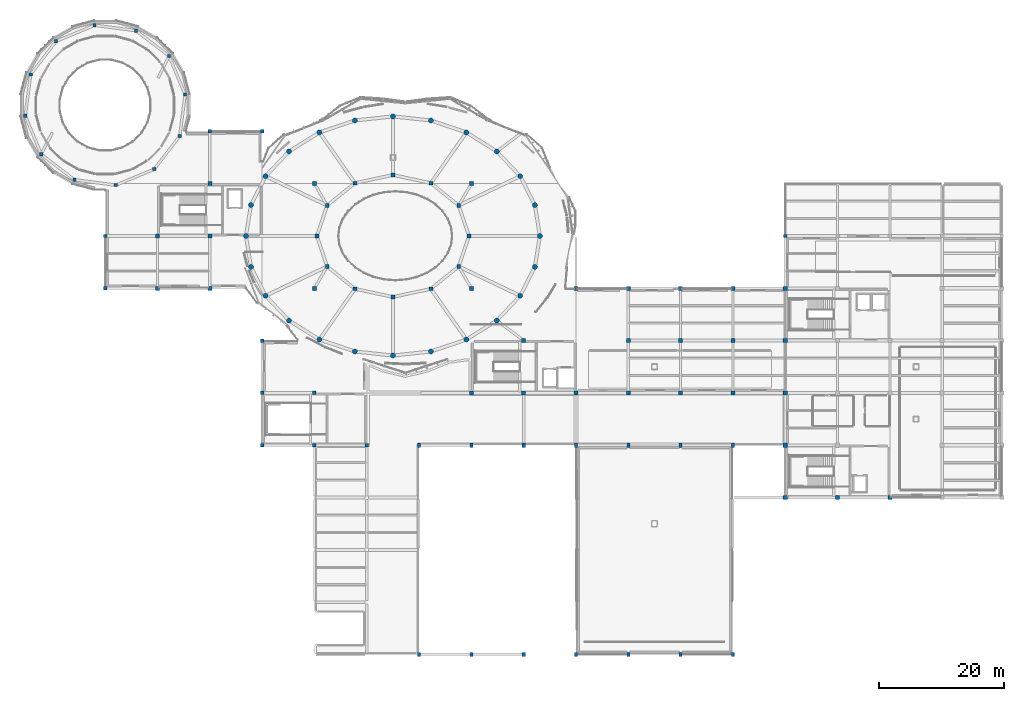
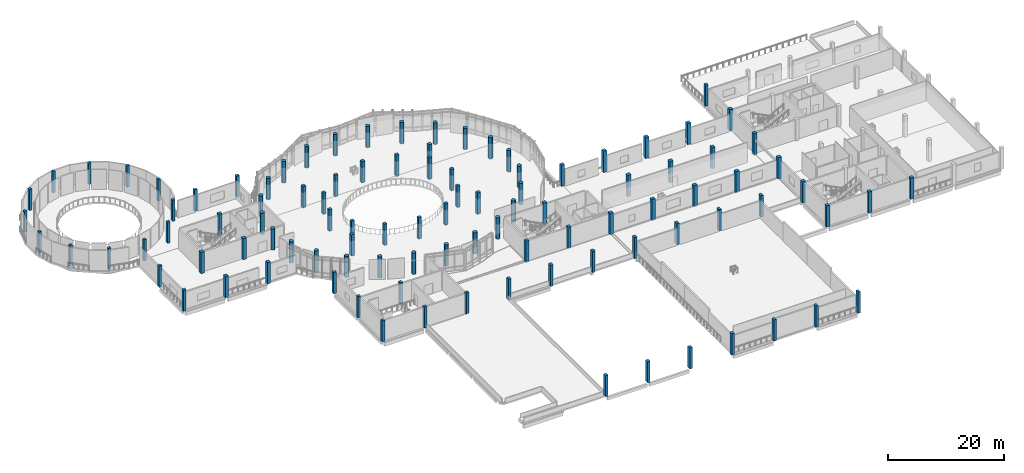
# One storey, part 1 of 46: 103 columns.
"""IFC4 building model written with IfcOpenShell, lengths in metres."""

from ifc_helpers import new_model, si_unit, derived_unit, direction, frame, origin, origin_2d, place, context, subcontext, project, spatial, rectangle, circle, extrude, material, material_profile, profile_set, type_object, element, save


model = new_model("IFC4")

# Units and contexts
model_context = context("Model", 3, precision=1e-05, world=origin(), true_north=direction((0.0, 1.0)))
body_context = subcontext(model_context, "Body", "Model", "MODEL_VIEW")
ifc_project = project(units=[si_unit("LENGTHUNIT", "METRE"), si_unit("AREAUNIT", "SQUARE_METRE"), si_unit("VOLUMEUNIT", "CUBIC_METRE"), si_unit("PLANEANGLEUNIT", "RADIAN"), si_unit("MASSUNIT", "GRAM", prefix="KILO"), derived_unit("THERMALTRANSMITTANCEUNIT", [(si_unit("POWERUNIT", "WATT"), 1), (si_unit("LENGTHUNIT", "METRE"), -2), (si_unit("THERMODYNAMICTEMPERATUREUNIT", "KELVIN"), -1)])], contexts=[model_context])

# Site, building, storey
site_placement = place(None, origin())
site = spatial("IfcSite", under=ifc_project, at=site_placement, CompositionType="ELEMENT")
building_placement = place(site_placement, origin())
building = spatial("IfcBuilding", under=site, at=building_placement, Name="Elbkamm Science Centre", CompositionType="ELEMENT")
storey_placement = place(building_placement, frame((0.0, 0.0, 9.89990234375)))
storey = spatial("IfcBuildingStorey", under=building, at=storey_placement, Name="L02", CompositionType="ELEMENT", Elevation=9.89990234375)

# Columns
ifc_material_1 = material(Name="Concrete C40/50", Category="concrete")
ifc_material_profile_1 = material_profile(ifc_material_1, rectangle(XDim=0.5, YDim=0.5, at=origin_2d()), Name="RC 500x500")
ifc_profile_set_1 = profile_set([ifc_material_profile_1], Name="Concrete C40/50")
column_type_1 = type_object("IfcColumnType", Name="COL-RC-500", PredefinedType="COLUMN", material=ifc_profile_set_1)
for number, where, z_axis, x_axis, name in (
    (1, (29.638916015625, 89.889892578125, 0.0), (0.0, 0.0, 1.0), (1.0, 0.0, 0.0), "L02 Column DRUM-01"),
    (2, (27.073974609375, 96.0830078125, 0.0), (0.0, 0.0, 1.0), (1.0, 0.0, 0.0), "L02 Column DRUM-02"),
    (3, (21.756103515625, 100.1640625, 0.0), (0.0, 0.0, 1.0), (1.0, 0.0, 0.0), "L02 Column DRUM-03"),
    (4, (15.110107421875, 101.0390625, 0.0), (0.0, 0.0, 1.0), (1.0, 0.0, 0.0), "L02 Column DRUM-04"),
    (5, (8.9169921875, 98.47412109375, 0.0), (0.0, 0.0, 1.0), (1.0, 0.0, 0.0), "L02 Column DRUM-05"),
    (6, (4.8359375, 93.156005859375, 0.0), (0.0, 0.0, 1.0), (1.0, 0.0, 0.0), "L02 Column DRUM-06"),
    (7, (3.9609375, 86.510009765625, 0.0), (0.0, 0.0, 1.0), (1.0, 0.0, 0.0), "L02 Column DRUM-07"),
    (8, (6.52587890625, 80.31689453125, 0.0), (0.0, 0.0, 1.0), (1.0, 0.0, 0.0), "L02 Column DRUM-08"),
    (9, (11.843994140625, 76.236083984375, 0.0), (0.0, 0.0, 1.0), (1.0, 0.0, 0.0), "L02 Column DRUM-09"),
    (10, (18.489990234375, 75.361083984375, 0.0), (0.0, 0.0, 1.0), (1.0, 0.0, 0.0), "L02 Column DRUM-10"),
    (11, (24.68310546875, 77.926025390625, 0.0), (0.0, 0.0, 1.0), (1.0, 0.0, 0.0), "L02 Column DRUM-11"),
    (12, (28.763916015625, 83.243896484375, 0.0), (0.0, 0.0, 1.0), (1.0, 0.0, 0.0), "L02 Column DRUM-12"),
):
    element("IfcColumn", number, at=place(storey_placement, frame(where, z_axis=z_axis, x_axis=x_axis)), inside=storey, type_object=column_type_1, Name=name, PredefinedType="COLUMN", context=body_context, shape_type="SweptSolid", body=[
        extrude(rectangle(XDim=0.5, YDim=0.5, at=origin_2d()), origin(), (0.0, 0.0, 1.0), 4.5),
    ])
ifc_material_profile_2 = material_profile(ifc_material_1, rectangle(XDim=0.5, YDim=0.699951171875, at=origin_2d()), Name="RC 500x700")
ifc_profile_set_2 = profile_set([ifc_material_profile_2], Name="Concrete C40/50")
column_type_2 = type_object("IfcColumnType", Name="COL-RC-500x700", PredefinedType="COLUMN", material=ifc_profile_set_2)
for number, where, z_axis, x_axis, name in (
    (13, (67.199951171875, 0.0, 0.0), (0.0, 0.0, 1.0), (1.0, 0.0, 0.0), "L02 Column TH-PIER-S01"),
    (14, (67.199951171875, 33.60009765625, 0.0), (0.0, 0.0, 1.0), (1.0, 0.0, 0.0), "L02 Column TH-PIER-N01"),
    (15, (75.60009765625, 0.0, 0.0), (0.0, 0.0, 1.0), (1.0, 0.0, 0.0), "L02 Column TH-PIER-S02"),
    (16, (75.60009765625, 33.60009765625, 0.0), (0.0, 0.0, 1.0), (1.0, 0.0, 0.0), "L02 Column TH-PIER-N02"),
    (17, (84.0, 0.0, 0.0), (0.0, 0.0, 1.0), (1.0, 0.0, 0.0), "L02 Column TH-PIER-S03"),
    (18, (84.0, 33.60009765625, 0.0), (0.0, 0.0, 1.0), (1.0, 0.0, 0.0), "L02 Column TH-PIER-N03"),
    (19, (92.39990234375, 0.0, 0.0), (0.0, 0.0, 1.0), (1.0, 0.0, 0.0), "L02 Column TH-PIER-S04"),
    (20, (92.39990234375, 33.60009765625, 0.0), (0.0, 0.0, 1.0), (1.0, 0.0, 0.0), "L02 Column TH-PIER-N04"),
    (21, (100.800048828125, 0.0, 0.0), (0.0, 0.0, 1.0), (1.0, 0.0, 0.0), "L02 Column TH-PIER-S05"),
    (22, (100.800048828125, 33.60009765625, 0.0), (0.0, 0.0, 1.0), (1.0, 0.0, 0.0), "L02 Column TH-PIER-N05"),
    (23, (109.199951171875, 0.0, 0.0), (0.0, 0.0, 1.0), (1.0, 0.0, 0.0), "L02 Column TH-PIER-S06"),
    (24, (109.199951171875, 33.60009765625, 0.0), (0.0, 0.0, 1.0), (1.0, 0.0, 0.0), "L02 Column TH-PIER-N06"),
    (25, (117.60009765625, 0.0, 0.0), (0.0, 0.0, 1.0), (1.0, 0.0, 0.0), "L02 Column TH-PIER-S07"),
    (26, (117.60009765625, 33.60009765625, 0.0), (0.0, 0.0, 1.0), (1.0, 0.0, 0.0), "L02 Column TH-PIER-N07"),
):
    element("IfcColumn", number, at=place(storey_placement, frame(where, z_axis=z_axis, x_axis=x_axis)), inside=storey, type_object=column_type_2, Name=name, PredefinedType="COLUMN", context=body_context, shape_type="SweptSolid", body=[
        extrude(rectangle(XDim=0.5, YDim=0.699951171875, at=origin_2d()), origin(), (0.0, 0.0, 1.0), 4.5),
    ])
ifc_material_profile_3 = material_profile(ifc_material_1, rectangle(XDim=0.550048828125, YDim=0.550048828125, at=origin_2d()), Name="RC 550x550")
ifc_profile_set_3 = profile_set([ifc_material_profile_3], Name="Concrete C40/50")
column_type_3 = type_object("IfcColumnType", Name="COL-RC-550", PredefinedType="COLUMN", material=ifc_profile_set_3)
for number, where, z_axis, x_axis, name in (
    (27, (16.800048828125, 58.800048828125, 0.0), (0.0, 0.0, 1.0), (1.0, 0.0, 0.0), "L02 Column GRID-3-H"),
    (28, (16.800048828125, 67.199951171875, 0.0), (0.0, 0.0, 1.0), (1.0, 0.0, 0.0), "L02 Column GRID-3-J"),
    (29, (33.60009765625, 84.0, 0.0), (0.0, 0.0, 1.0), (1.0, 0.0, 0.0), "L02 Column GRID-5-L"),
    (30, (42.0, 33.60009765625, 0.0), (0.0, 0.0, 1.0), (1.0, 0.0, 0.0), "L02 Column GRID-6-E"),
    (31, (42.0, 42.0, 0.0), (0.0, 0.0, 1.0), (1.0, 0.0, 0.0), "L02 Column GRID-6-F"),
    (32, (42.0, 50.39990234375, 0.0), (0.0, 0.0, 1.0), (1.0, 0.0, 0.0), "L02 Column GRID-6-G"),
    (33, (42.0, 84.0, 0.0), (0.0, 0.0, 1.0), (1.0, 0.0, 0.0), "L02 Column GRID-6-L"),
    (34, (50.39990234375, 33.60009765625, 0.0), (0.0, 0.0, 1.0), (1.0, 0.0, 0.0), "L02 Column GRID-7-E"),
    (35, (50.39990234375, 42.0, 0.0), (0.0, 0.0, 1.0), (1.0, 0.0, 0.0), "L02 Column GRID-7-F"),
    (36, (58.800048828125, 33.60009765625, 0.0), (0.0, 0.0, 1.0), (1.0, 0.0, 0.0), "L02 Column GRID-8-E"),
    (37, (126.0, 67.199951171875, 0.0), (0.0, 0.0, 1.0), (1.0, 0.0, 0.0), "L02 Column GRID-16-J"),
):
    element("IfcColumn", number, at=place(storey_placement, frame(where, z_axis=z_axis, x_axis=x_axis)), inside=storey, type_object=column_type_3, Name=name, PredefinedType="COLUMN", context=body_context, shape_type="SweptSolid", body=[
        extrude(rectangle(XDim=0.550048828125, YDim=0.550048828125, at=origin_2d()), origin(), (0.0, 0.0, 1.0), 4.5),
    ])
ifc_material_profile_4 = material_profile(ifc_material_1, rectangle(XDim=0.60009765625, YDim=0.60009765625, at=origin_2d()), Name="RC 600x600")
ifc_profile_set_4 = profile_set([ifc_material_profile_4], Name="Concrete C40/50")
column_type_4 = type_object("IfcColumnType", Name="COL-RC-600", PredefinedType="COLUMN", material=ifc_profile_set_4)
for number, where, z_axis, x_axis, name in (
    (38, (75.199951171875, 67.199951171875, 0.0), (0.0, 0.0, 1.0), (1.0, 0.0, 0.0), "L02 Column SH-IN-01"),
    (39, (73.56591796875, 72.10009765625, 0.0), (0.0, 0.0, 1.0), (1.0, 0.0, 0.0), "L02 Column SH-IN-02"),
    (40, (69.10009765625, 75.68701171875, 0.0), (0.0, 0.0, 1.0), (1.0, 0.0, 0.0), "L02 Column SH-IN-03"),
    (41, (63.0, 77.0, 0.0), (0.0, 0.0, 1.0), (1.0, 0.0, 0.0), "L02 Column SH-IN-04"),
    (42, (56.89990234375, 75.68701171875, 0.0), (0.0, 0.0, 1.0), (1.0, 0.0, 0.0), "L02 Column SH-IN-05"),
    (43, (52.43408203125, 72.10009765625, 0.0), (0.0, 0.0, 1.0), (1.0, 0.0, 0.0), "L02 Column SH-IN-06"),
    (44, (50.800048828125, 67.199951171875, 0.0), (0.0, 0.0, 1.0), (1.0, 0.0, 0.0), "L02 Column SH-IN-07"),
    (45, (52.43408203125, 62.300048828125, 0.0), (0.0, 0.0, 1.0), (1.0, 0.0, 0.0), "L02 Column SH-IN-08"),
    (46, (56.89990234375, 58.712890625, 0.0), (0.0, 0.0, 1.0), (1.0, 0.0, 0.0), "L02 Column SH-IN-09"),
    (47, (63.0, 57.39990234375, 0.0), (0.0, 0.0, 1.0), (1.0, 0.0, 0.0), "L02 Column SH-IN-10"),
    (48, (69.10009765625, 58.712890625, 0.0), (0.0, 0.0, 1.0), (1.0, 0.0, 0.0), "L02 Column SH-IN-11"),
    (49, (73.56591796875, 62.300048828125, 0.0), (0.0, 0.0, 1.0), (1.0, 0.0, 0.0), "L02 Column SH-IN-12"),
):
    element("IfcColumn", number, at=place(storey_placement, frame(where, z_axis=z_axis, x_axis=x_axis)), inside=storey, type_object=column_type_4, Name=name, PredefinedType="COLUMN", context=body_context, shape_type="SweptSolid", body=[
        extrude(rectangle(XDim=0.60009765625, YDim=0.60009765625, at=origin_2d()), origin(), (0.0, 0.0, 1.0), 4.5),
    ])
ifc_material_profile_5 = material_profile(ifc_material_1, rectangle(XDim=0.64990234375, YDim=0.64990234375, at=origin_2d()), Name="RC 650x650")
ifc_profile_set_5 = profile_set([ifc_material_profile_5], Name="Concrete C40/50")
column_type_5 = type_object("IfcColumnType", Name="COL-RC-650", PredefinedType="COLUMN", material=ifc_profile_set_5)
for number, where, z_axis, x_axis, name in (
    (50, (25.199951171875, 58.800048828125, 0.0), (0.0, 0.0, 1.0), (1.0, 0.0, 0.0), "L02 Column GRID-4-H"),
    (51, (25.199951171875, 67.199951171875, 0.0), (0.0, 0.0, 1.0), (1.0, 0.0, 0.0), "L02 Column GRID-4-J"),
    (52, (33.60009765625, 58.800048828125, 0.0), (0.0, 0.0, 1.0), (1.0, 0.0, 0.0), "L02 Column GRID-5-H"),
    (53, (33.60009765625, 67.199951171875, 0.0), (0.0, 0.0, 1.0), (1.0, 0.0, 0.0), "L02 Column GRID-5-J"),
    (54, (33.60009765625, 75.60009765625, 0.0), (0.0, 0.0, 1.0), (1.0, 0.0, 0.0), "L02 Column GRID-5-K"),
    (55, (50.39990234375, 58.800048828125, 0.0), (0.0, 0.0, 1.0), (1.0, 0.0, 0.0), "L02 Column GRID-7-H"),
    (56, (50.39990234375, 75.60009765625, 0.0), (0.0, 0.0, 1.0), (1.0, 0.0, 0.0), "L02 Column GRID-7-K"),
    (57, (75.60009765625, 42.0, 0.0), (0.0, 0.0, 1.0), (1.0, 0.0, 0.0), "L02 Column GRID-10-F"),
    (58, (75.60009765625, 58.800048828125, 0.0), (0.0, 0.0, 1.0), (1.0, 0.0, 0.0), "L02 Column GRID-10-H"),
    (59, (75.60009765625, 75.60009765625, 0.0), (0.0, 0.0, 1.0), (1.0, 0.0, 0.0), "L02 Column GRID-10-K"),
    (60, (84.0, 42.0, 0.0), (0.0, 0.0, 1.0), (1.0, 0.0, 0.0), "L02 Column GRID-11-F"),
    (61, (84.0, 50.39990234375, 0.0), (0.0, 0.0, 1.0), (1.0, 0.0, 0.0), "L02 Column GRID-11-G"),
    (62, (92.39990234375, 42.0, 0.0), (0.0, 0.0, 1.0), (1.0, 0.0, 0.0), "L02 Column GRID-12-F"),
    (63, (92.39990234375, 58.800048828125, 0.0), (0.0, 0.0, 1.0), (1.0, 0.0, 0.0), "L02 Column GRID-12-H"),
    (64, (100.800048828125, 42.0, 0.0), (0.0, 0.0, 1.0), (1.0, 0.0, 0.0), "L02 Column GRID-13-F"),
    (65, (100.800048828125, 50.39990234375, 0.0), (0.0, 0.0, 1.0), (1.0, 0.0, 0.0), "L02 Column GRID-13-G"),
    (66, (100.800048828125, 58.800048828125, 0.0), (0.0, 0.0, 1.0), (1.0, 0.0, 0.0), "L02 Column GRID-13-H"),
    (67, (109.199951171875, 42.0, 0.0), (0.0, 0.0, 1.0), (1.0, 0.0, 0.0), "L02 Column GRID-14-F"),
    (68, (109.199951171875, 50.39990234375, 0.0), (0.0, 0.0, 1.0), (1.0, 0.0, 0.0), "L02 Column GRID-14-G"),
    (69, (109.199951171875, 58.800048828125, 0.0), (0.0, 0.0, 1.0), (1.0, 0.0, 0.0), "L02 Column GRID-14-H"),
    (70, (117.60009765625, 42.0, 0.0), (0.0, 0.0, 1.0), (1.0, 0.0, 0.0), "L02 Column GRID-15-F"),
    (71, (117.60009765625, 50.39990234375, 0.0), (0.0, 0.0, 1.0), (1.0, 0.0, 0.0), "L02 Column GRID-15-G"),
    (72, (117.60009765625, 58.800048828125, 0.0), (0.0, 0.0, 1.0), (1.0, 0.0, 0.0), "L02 Column GRID-15-H"),
    (73, (126.0, 25.199951171875, 0.0), (0.0, 0.0, 1.0), (1.0, 0.0, 0.0), "L02 Column GRID-16-D"),
    (74, (126.0, 33.60009765625, 0.0), (0.0, 0.0, 1.0), (1.0, 0.0, 0.0), "L02 Column GRID-16-E"),
    (75, (126.0, 42.0, 0.0), (0.0, 0.0, 1.0), (1.0, 0.0, 0.0), "L02 Column GRID-16-F"),
    (76, (126.0, 50.39990234375, 0.0), (0.0, 0.0, 1.0), (1.0, 0.0, 0.0), "L02 Column GRID-16-G"),
    (77, (126.0, 58.800048828125, 0.0), (0.0, 0.0, 1.0), (1.0, 0.0, 0.0), "L02 Column GRID-16-H"),
    (78, (134.39990234375, 25.199951171875, 0.0), (0.0, 0.0, 1.0), (1.0, 0.0, 0.0), "L02 Column GRID-17-D"),
    (79, (142.800048828125, 25.199951171875, 0.0), (0.0, 0.0, 1.0), (1.0, 0.0, 0.0), "L02 Column GRID-18-D"),
):
    element("IfcColumn", number, at=place(storey_placement, frame(where, z_axis=z_axis, x_axis=x_axis)), inside=storey, type_object=column_type_5, Name=name, PredefinedType="COLUMN", context=body_context, shape_type="SweptSolid", body=[
        extrude(rectangle(XDim=0.64990234375, YDim=0.64990234375, at=origin_2d()), origin(), (0.0, 0.0, 1.0), 4.5),
    ])
ifc_material_2 = material(Name="Concrete C45/55", Category="concrete")
ifc_material_profile_6 = material_profile(ifc_material_2, circle(Radius=0.39990234375, at=origin_2d()), Name="RC D800")
ifc_profile_set_6 = profile_set([ifc_material_profile_6], Name="Concrete C45/55")
column_type_6 = type_object("IfcColumnType", Name="COL-RC-D800", PredefinedType="COLUMN", material=ifc_profile_set_6)
for number, where, z_axis, x_axis, name in (
    (80, (86.60009765625, 67.199951171875, 0.0), (0.0, 0.0, 1.0), (1.0, 0.0, 0.0), "L02 Column SH-OUT-01"),
    (81, (85.7958984375, 72.1689453125, 0.0), (0.0, 0.0, 1.0), (1.0, 0.0, 0.0), "L02 Column SH-OUT-02"),
    (82, (83.43798828125, 76.800048828125, 0.0), (0.0, 0.0, 1.0), (1.0, 0.0, 0.0), "L02 Column SH-OUT-03"),
    (83, (79.68798828125, 80.77587890625, 0.0), (0.0, 0.0, 1.0), (1.0, 0.0, 0.0), "L02 Column SH-OUT-04"),
    (84, (74.800048828125, 83.827880859375, 0.0), (0.0, 0.0, 1.0), (1.0, 0.0, 0.0), "L02 Column SH-OUT-05"),
    (85, (69.10791015625, 85.74609375, 0.0), (0.0, 0.0, 1.0), (1.0, 0.0, 0.0), "L02 Column SH-OUT-06"),
    (86, (63.0, 86.39990234375, 0.0), (0.0, 0.0, 1.0), (1.0, 0.0, 0.0), "L02 Column SH-OUT-07"),
    (87, (56.89208984375, 85.74609375, 0.0), (0.0, 0.0, 1.0), (1.0, 0.0, 0.0), "L02 Column SH-OUT-08"),
    (88, (51.199951171875, 83.827880859375, 0.0), (0.0, 0.0, 1.0), (1.0, 0.0, 0.0), "L02 Column SH-OUT-09"),
    (89, (46.31201171875, 80.77587890625, 0.0), (0.0, 0.0, 1.0), (1.0, 0.0, 0.0), "L02 Column SH-OUT-10"),
    (90, (42.56201171875, 76.800048828125, 0.0), (0.0, 0.0, 1.0), (1.0, 0.0, 0.0), "L02 Column SH-OUT-11"),
    (91, (40.2041015625, 72.1689453125, 0.0), (0.0, 0.0, 1.0), (1.0, 0.0, 0.0), "L02 Column SH-OUT-12"),
    (92, (39.39990234375, 67.199951171875, 0.0), (0.0, 0.0, 1.0), (1.0, 0.0, 0.0), "L02 Column SH-OUT-13"),
    (93, (40.2041015625, 62.23095703125, 0.0), (0.0, 0.0, 1.0), (1.0, 0.0, 0.0), "L02 Column SH-OUT-14"),
    (94, (42.56201171875, 57.60009765625, 0.0), (0.0, 0.0, 1.0), (1.0, 0.0, 0.0), "L02 Column SH-OUT-15"),
    (95, (46.31201171875, 53.6240234375, 0.0), (0.0, 0.0, 1.0), (1.0, 0.0, 0.0), "L02 Column SH-OUT-16"),
    (96, (51.199951171875, 50.572021484375, 0.0), (0.0, 0.0, 1.0), (1.0, 0.0, 0.0), "L02 Column SH-OUT-17"),
    (97, (56.89208984375, 48.654052734375, 0.0), (0.0, 0.0, 1.0), (1.0, 0.0, 0.0), "L02 Column SH-OUT-18"),
    (98, (63.0, 48.0, 0.0), (0.0, 0.0, 1.0), (1.0, 0.0, 0.0), "L02 Column SH-OUT-19"),
    (99, (69.10791015625, 48.654052734375, 0.0), (0.0, 0.0, 1.0), (1.0, 0.0, 0.0), "L02 Column SH-OUT-20"),
    (100, (74.800048828125, 50.572021484375, 0.0), (0.0, 0.0, 1.0), (1.0, 0.0, 0.0), "L02 Column SH-OUT-21"),
    (101, (79.68798828125, 53.6240234375, 0.0), (0.0, 0.0, 1.0), (1.0, 0.0, 0.0), "L02 Column SH-OUT-22"),
    (102, (83.43798828125, 57.60009765625, 0.0), (0.0, 0.0, 1.0), (1.0, 0.0, 0.0), "L02 Column SH-OUT-23"),
    (103, (85.7958984375, 62.23095703125, 0.0), (0.0, 0.0, 1.0), (1.0, 0.0, 0.0), "L02 Column SH-OUT-24"),
):
    element("IfcColumn", number, at=place(storey_placement, frame(where, z_axis=z_axis, x_axis=x_axis)), inside=storey, type_object=column_type_6, Name=name, PredefinedType="COLUMN", context=body_context, shape_type="SweptSolid", body=[
        extrude(circle(Radius=0.39990234375, at=origin_2d()), origin(), (0.0, 0.0, 1.0), 4.5),
    ])

save(model, "model.ifc")
